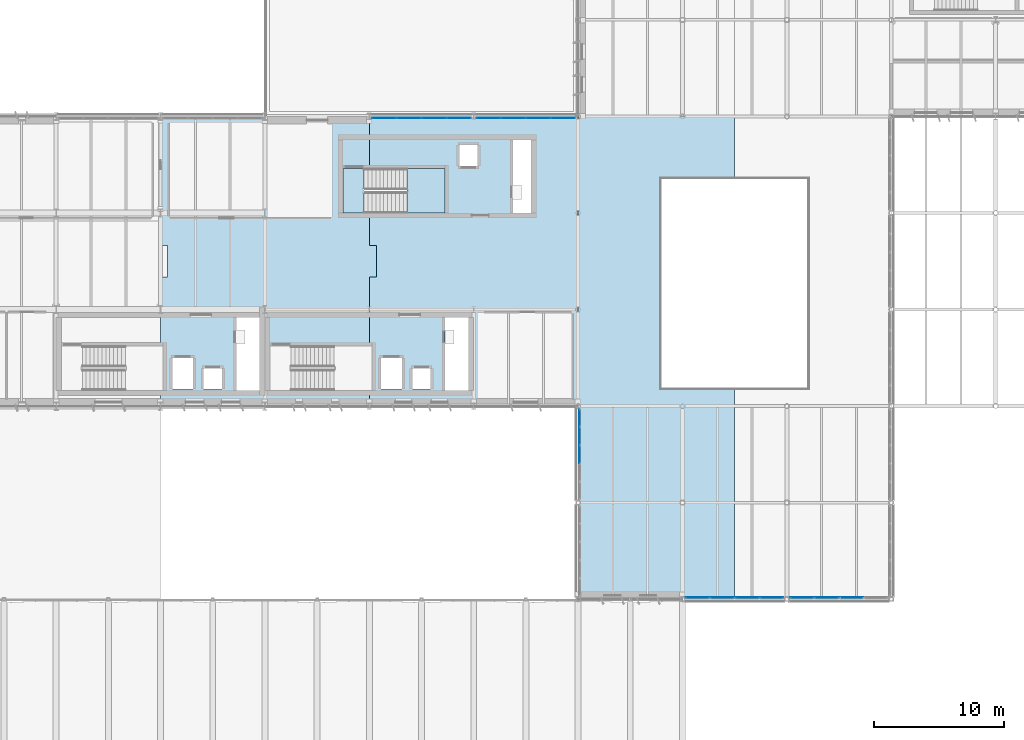
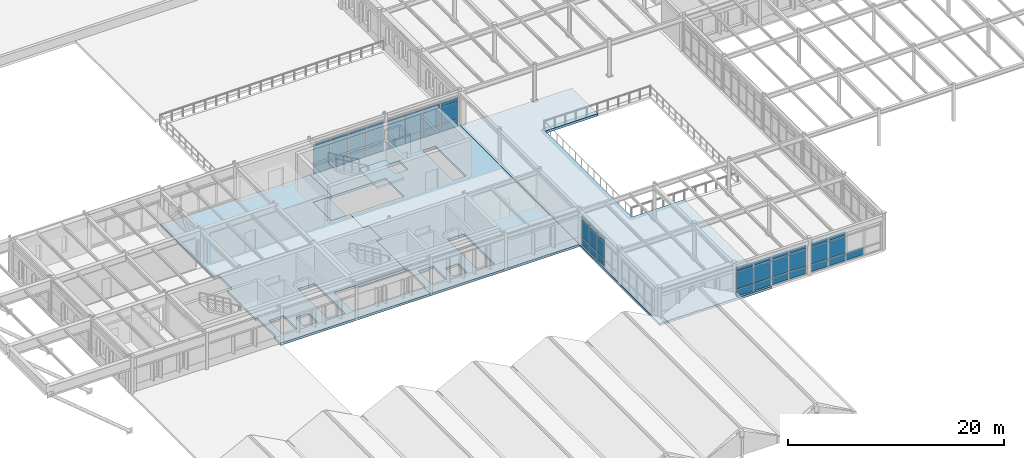
# One storey, part 30 of 63: 52 plates, 5 slabs, 6 elements without a shape of their own.
"""IFC4 building model written with IfcOpenShell, lengths in metres."""

from ifc_helpers import new_model, si_unit, direction, frame, origin, origin_2d, place, context, subcontext, project, spatial, polyline, rectangle, outline, extrude, material, layer, layer_set, type_object, element, aggregate, save


model = new_model("IFC4")

# Units and contexts
model_context = context("Model", 3, precision=1e-05, world=origin(), true_north=direction((0.0, 1.0)))
body_context = subcontext(model_context, "Body", "Model", "MODEL_VIEW")
ifc_project = project(units=[si_unit("LENGTHUNIT", "METRE"), si_unit("AREAUNIT", "SQUARE_METRE"), si_unit("VOLUMEUNIT", "CUBIC_METRE"), si_unit("PLANEANGLEUNIT", "RADIAN"), si_unit("MASSUNIT", "GRAM", prefix="KILO")], contexts=[model_context])

# Site, building, storey
site_placement = place(None, origin())
site = spatial("IfcSite", under=ifc_project, at=site_placement, CompositionType="ELEMENT")
building_placement = place(site_placement, origin())
building = spatial("IfcBuilding", under=site, at=building_placement, Name="Valkorina Park Police Headquarters", CompositionType="ELEMENT")
storey_placement = place(building_placement, frame((0.0, 0.0, 9.89990234375)))
storey = spatial("IfcBuildingStorey", under=building, at=storey_placement, Name="L03", CompositionType="ELEMENT", Elevation=9.89990234375)

# Curtain wall, plates
ifc_material_1 = material(Name="Thermally broken aluminium AW-6060", Category="aluminium")
ifc_layer_1 = layer(ifc_material_1, 0.18994140625)
ifc_layer_set_1 = layer_set([ifc_layer_1], Name="Thermally broken aluminium AW-6060")
curtain_wall_type_1 = type_object("IfcCurtainWallType", Name="CW-V4-7620x3420", PredefinedType="NOTDEFINED", material=ifc_layer_set_1)
curtain_wall_1_placement = place(storey_placement, origin())
curtain_wall_1 = element("IfcCurtainWall", 1, at=curtain_wall_1_placement, inside=storey, type_object=curtain_wall_type_1, Name="L03 Unitised Curtain Wall 025", PredefinedType="NOTDEFINED")
ifc_material_2 = material(Name="Triple low-E insulated glazing", Category="glass")
ifc_layer_2 = layer(ifc_material_2, 0.0380859375)
ifc_layer_set_2 = layer_set([ifc_layer_2], Name="Triple low-E insulated glazing")
plate_type_1 = type_object("IfcPlateType", Name="PL-CWP-ACOUST-38", PredefinedType="CURTAIN_PANEL", material=ifc_layer_set_2)
plate_1_placement = place(storey_placement, frame((75.846923828125, 22.320068359375, 0.940185546875), z_axis=(0.0, 0.0, 1.0), x_axis=(-1.0, 0.0, 0.0)))
plate_1 = element("IfcPlate", 2, at=plate_1_placement, type_object=plate_type_1, Name="CW-V4-762-342 panel 3.2", PredefinedType="CURTAIN_PANEL", context=body_context, shape_type="SweptSolid", body=[
    extrude(rectangle(XDim=1.826171875, YDim=0.0380859375, at=origin_2d()), origin(), (0.0, 0.0, 1.0), 1.919921875),
])
plate_2_placement = place(storey_placement, frame((75.846923828125, 22.320068359375, 2.940185546875), z_axis=(0.0, 0.0, 1.0), x_axis=(-1.0, 0.0, 0.0)))
plate_2 = element("IfcPlate", 3, at=plate_2_placement, type_object=plate_type_1, Name="CW-V4-762-342 panel 3.3", PredefinedType="CURTAIN_PANEL", context=body_context, shape_type="SweptSolid", body=[
    extrude(rectangle(XDim=1.826171875, YDim=0.0380859375, at=origin_2d()), origin(), (0.0, 0.0, 1.0), 0.39990234375),
])
plate_3_placement = place(storey_placement, frame((73.9609375, 22.320068359375, 0.940185546875), z_axis=(0.0, 0.0, 1.0), x_axis=(-1.0, 0.0, 0.0)))
plate_3 = element("IfcPlate", 4, at=plate_3_placement, type_object=plate_type_1, Name="CW-V4-762-342 panel 4.2", PredefinedType="CURTAIN_PANEL", context=body_context, shape_type="SweptSolid", body=[
    extrude(rectangle(XDim=1.7861328125, YDim=0.0380859375, at=origin_2d()), origin(), (0.0, 0.0, 1.0), 1.919921875),
])
plate_4_placement = place(storey_placement, frame((73.9609375, 22.320068359375, 2.940185546875), z_axis=(0.0, 0.0, 1.0), x_axis=(-1.0, 0.0, 0.0)))
plate_4 = element("IfcPlate", 5, at=plate_4_placement, type_object=plate_type_1, Name="CW-V4-762-342 panel 4.3", PredefinedType="CURTAIN_PANEL", context=body_context, shape_type="SweptSolid", body=[
    extrude(rectangle(XDim=1.7861328125, YDim=0.0380859375, at=origin_2d()), origin(), (0.0, 0.0, 1.0), 0.39990234375),
])

curtain_wall_2_placement = place(storey_placement, origin())
curtain_wall_2 = element("IfcCurtainWall", 6, at=curtain_wall_2_placement, inside=storey, type_object=curtain_wall_type_1, Name="L03 Unitised Curtain Wall 026", PredefinedType="NOTDEFINED")
plate_5_placement = place(storey_placement, frame((71.63916015625, 22.320068359375, 0.940185546875), z_axis=(0.0, 0.0, 1.0), x_axis=(-1.0, 0.0, 0.0)))
plate_5 = element("IfcPlate", 7, at=plate_5_placement, type_object=plate_type_1, Name="CW-V4-762-342 panel 1.2", PredefinedType="CURTAIN_PANEL", context=body_context, shape_type="SweptSolid", body=[
    extrude(rectangle(XDim=1.7861328125, YDim=0.0380859375, at=origin_2d()), origin(), (0.0, 0.0, 1.0), 1.919921875),
])
plate_6_placement = place(storey_placement, frame((71.63916015625, 22.320068359375, 2.940185546875), z_axis=(0.0, 0.0, 1.0), x_axis=(-1.0, 0.0, 0.0)))
plate_6 = element("IfcPlate", 8, at=plate_6_placement, type_object=plate_type_1, Name="CW-V4-762-342 panel 1.3", PredefinedType="CURTAIN_PANEL", context=body_context, shape_type="SweptSolid", body=[
    extrude(rectangle(XDim=1.7861328125, YDim=0.0380859375, at=origin_2d()), origin(), (0.0, 0.0, 1.0), 0.39990234375),
])
plate_7_placement = place(storey_placement, frame((69.7529296875, 22.320068359375, 0.940185546875), z_axis=(0.0, 0.0, 1.0), x_axis=(-1.0, 0.0, 0.0)))
plate_7 = element("IfcPlate", 9, at=plate_7_placement, type_object=plate_type_1, Name="CW-V4-762-342 panel 2.2", PredefinedType="CURTAIN_PANEL", context=body_context, shape_type="SweptSolid", body=[
    extrude(rectangle(XDim=1.826171875, YDim=0.0380859375, at=origin_2d()), origin(), (0.0, 0.0, 1.0), 1.919921875),
])
plate_8_placement = place(storey_placement, frame((69.7529296875, 22.320068359375, 2.940185546875), z_axis=(0.0, 0.0, 1.0), x_axis=(-1.0, 0.0, 0.0)))
plate_8 = element("IfcPlate", 10, at=plate_8_placement, type_object=plate_type_1, Name="CW-V4-762-342 panel 2.3", PredefinedType="CURTAIN_PANEL", context=body_context, shape_type="SweptSolid", body=[
    extrude(rectangle(XDim=1.826171875, YDim=0.0380859375, at=origin_2d()), origin(), (0.0, 0.0, 1.0), 0.39990234375),
])
plate_9_placement = place(storey_placement, frame((67.846923828125, 22.320068359375, 0.940185546875), z_axis=(0.0, 0.0, 1.0), x_axis=(-1.0, 0.0, 0.0)))
plate_9 = element("IfcPlate", 11, at=plate_9_placement, type_object=plate_type_1, Name="CW-V4-762-342 panel 3.2", PredefinedType="CURTAIN_PANEL", context=body_context, shape_type="SweptSolid", body=[
    extrude(rectangle(XDim=1.826171875, YDim=0.0380859375, at=origin_2d()), origin(), (0.0, 0.0, 1.0), 1.919921875),
])
plate_10_placement = place(storey_placement, frame((67.846923828125, 22.320068359375, 2.940185546875), z_axis=(0.0, 0.0, 1.0), x_axis=(-1.0, 0.0, 0.0)))
plate_10 = element("IfcPlate", 12, at=plate_10_placement, type_object=plate_type_1, Name="CW-V4-762-342 panel 3.3", PredefinedType="CURTAIN_PANEL", context=body_context, shape_type="SweptSolid", body=[
    extrude(rectangle(XDim=1.826171875, YDim=0.0380859375, at=origin_2d()), origin(), (0.0, 0.0, 1.0), 0.39990234375),
])
plate_11_placement = place(storey_placement, frame((65.9609375, 22.320068359375, 0.940185546875), z_axis=(0.0, 0.0, 1.0), x_axis=(-1.0, 0.0, 0.0)))
plate_11 = element("IfcPlate", 13, at=plate_11_placement, type_object=plate_type_1, Name="CW-V4-762-342 panel 4.2", PredefinedType="CURTAIN_PANEL", context=body_context, shape_type="SweptSolid", body=[
    extrude(rectangle(XDim=1.7861328125, YDim=0.0380859375, at=origin_2d()), origin(), (0.0, 0.0, 1.0), 1.919921875),
])
plate_12_placement = place(storey_placement, frame((65.9609375, 22.320068359375, 2.940185546875), z_axis=(0.0, 0.0, 1.0), x_axis=(-1.0, 0.0, 0.0)))
plate_12 = element("IfcPlate", 14, at=plate_12_placement, type_object=plate_type_1, Name="CW-V4-762-342 panel 4.3", PredefinedType="CURTAIN_PANEL", context=body_context, shape_type="SweptSolid", body=[
    extrude(rectangle(XDim=1.7861328125, YDim=0.0380859375, at=origin_2d()), origin(), (0.0, 0.0, 1.0), 0.39990234375),
])

ifc_layer_3 = layer(ifc_material_1, 0.18994140625)
ifc_layer_set_3 = layer_set([ifc_layer_3], Name="Thermally broken aluminium AW-6060")
curtain_wall_type_2 = type_object("IfcCurtainWallType", Name="CW-V4-7020x3360", PredefinedType="NOTDEFINED", material=ifc_layer_set_3)
curtain_wall_3_placement = place(storey_placement, origin())
curtain_wall_3 = element("IfcCurtainWall", 15, at=curtain_wall_3_placement, inside=storey, type_object=curtain_wall_type_2, Name="L03 Unitised Curtain Wall 029", PredefinedType="NOTDEFINED")
plate_13_placement = place(storey_placement, frame((56.919921875, 33.300048828125, 0.93994140625), z_axis=(0.0, 0.0, 1.0), x_axis=(0.0, 1.0, 0.0)))
plate_13 = element("IfcPlate", 16, at=plate_13_placement, type_object=plate_type_1, Name="CW-V4-702-336 panel 3.2", PredefinedType="CURTAIN_PANEL", context=body_context, shape_type="SweptSolid", body=[
    extrude(rectangle(XDim=1.324951171875, YDim=0.0380859375, at=origin_2d()), origin(), (0.0, 0.0, 1.0), 1.860107421875),
])
plate_14_placement = place(storey_placement, frame((56.919921875, 33.300048828125, 2.880126953125), z_axis=(0.0, 0.0, 1.0), x_axis=(0.0, 1.0, 0.0)))
plate_14 = element("IfcPlate", 17, at=plate_14_placement, type_object=plate_type_1, Name="CW-V4-702-336 panel 3.3", PredefinedType="CURTAIN_PANEL", context=body_context, shape_type="SweptSolid", body=[
    extrude(rectangle(XDim=1.324951171875, YDim=0.0380859375, at=origin_2d()), origin(), (0.0, 0.0, 1.0), 0.39990234375),
])
plate_15_placement = place(storey_placement, frame((56.919921875, 34.704833984375, 0.93994140625), z_axis=(0.0, 0.0, 1.0), x_axis=(0.0, 1.0, 0.0)))
plate_15 = element("IfcPlate", 18, at=plate_15_placement, type_object=plate_type_1, Name="CW-V4-702-336 panel 4.2", PredefinedType="CURTAIN_PANEL", context=body_context, shape_type="SweptSolid", body=[
    extrude(rectangle(XDim=1.324951171875, YDim=0.0380859375, at=origin_2d()), origin(), (0.0, 0.0, 1.0), 1.860107421875),
])
plate_16_placement = place(storey_placement, frame((56.919921875, 34.704833984375, 2.880126953125), z_axis=(0.0, 0.0, 1.0), x_axis=(0.0, 1.0, 0.0)))
plate_16 = element("IfcPlate", 19, at=plate_16_placement, type_object=plate_type_1, Name="CW-V4-702-336 panel 4.3", PredefinedType="CURTAIN_PANEL", context=body_context, shape_type="SweptSolid", body=[
    extrude(rectangle(XDim=1.324951171875, YDim=0.0380859375, at=origin_2d()), origin(), (0.0, 0.0, 1.0), 0.39990234375),
])
plate_17_placement = place(storey_placement, frame((56.919921875, 36.08984375, 0.93994140625), z_axis=(0.0, 0.0, 1.0), x_axis=(0.0, 1.0, 0.0)))
plate_17 = element("IfcPlate", 20, at=plate_17_placement, type_object=plate_type_1, Name="CW-V4-702-336 panel 5.2", PredefinedType="CURTAIN_PANEL", context=body_context, shape_type="SweptSolid", body=[
    extrude(rectangle(XDim=1.284912109375, YDim=0.0380859375, at=origin_2d()), origin(), (0.0, 0.0, 1.0), 1.860107421875),
])
plate_18_placement = place(storey_placement, frame((56.919921875, 36.08984375, 2.880126953125), z_axis=(0.0, 0.0, 1.0), x_axis=(0.0, 1.0, 0.0)))
plate_18 = element("IfcPlate", 21, at=plate_18_placement, type_object=plate_type_1, Name="CW-V4-702-336 panel 5.3", PredefinedType="CURTAIN_PANEL", context=body_context, shape_type="SweptSolid", body=[
    extrude(rectangle(XDim=1.284912109375, YDim=0.0380859375, at=origin_2d()), origin(), (0.0, 0.0, 1.0), 0.39990234375),
])

# Plate
ifc_layer_4 = layer(ifc_material_1, 0.06494140625)
ifc_layer_set_4 = layer_set([ifc_layer_4], Name="Thermally broken aluminium AW-6060")
plate_type_2 = type_object("IfcPlateType", Name="PL-CWP-INSUL-65", PredefinedType="CURTAIN_PANEL", material=ifc_layer_set_4)
plate_19_placement = place(storey_placement, frame((77.7529296875, 22.320068359375, 0.080078125), z_axis=(0.0, 0.0, 1.0), x_axis=(-1.0, 0.0, 0.0)))
plate_19 = element("IfcPlate", 22, at=plate_19_placement, type_object=plate_type_2, Name="CW-V4-762-342 panel 2.1", PredefinedType="CURTAIN_PANEL", context=body_context, shape_type="SweptSolid", body=[
    extrude(rectangle(XDim=1.826171875, YDim=0.0380859375, at=origin_2d()), origin(), (0.0, 0.0, 1.0), 0.780029296875),
])

plate_20_placement = place(storey_placement, frame((75.846923828125, 22.320068359375, 0.080078125), z_axis=(0.0, 0.0, 1.0), x_axis=(-1.0, 0.0, 0.0)))
plate_20 = element("IfcPlate", 23, at=plate_20_placement, type_object=plate_type_2, Name="CW-V4-762-342 panel 3.1", PredefinedType="CURTAIN_PANEL", context=body_context, shape_type="SweptSolid", body=[
    extrude(rectangle(XDim=1.826171875, YDim=0.0380859375, at=origin_2d()), origin(), (0.0, 0.0, 1.0), 0.780029296875),
])

plate_21_placement = place(storey_placement, frame((73.9609375, 22.320068359375, 0.080078125), z_axis=(0.0, 0.0, 1.0), x_axis=(-1.0, 0.0, 0.0)))
plate_21 = element("IfcPlate", 24, at=plate_21_placement, type_object=plate_type_2, Name="CW-V4-762-342 panel 4.1", PredefinedType="CURTAIN_PANEL", context=body_context, shape_type="SweptSolid", body=[
    extrude(rectangle(XDim=1.7861328125, YDim=0.0380859375, at=origin_2d()), origin(), (0.0, 0.0, 1.0), 0.780029296875),
])

aggregate(curtain_wall_1, [plate_19, plate_20, plate_1, plate_2, plate_21, plate_3, plate_4])

plate_22_placement = place(storey_placement, frame((71.63916015625, 22.320068359375, 0.080078125), z_axis=(0.0, 0.0, 1.0), x_axis=(-1.0, 0.0, 0.0)))
plate_22 = element("IfcPlate", 25, at=plate_22_placement, type_object=plate_type_2, Name="CW-V4-762-342 panel 1.1", PredefinedType="CURTAIN_PANEL", context=body_context, shape_type="SweptSolid", body=[
    extrude(rectangle(XDim=1.7861328125, YDim=0.0380859375, at=origin_2d()), origin(), (0.0, 0.0, 1.0), 0.780029296875),
])

plate_23_placement = place(storey_placement, frame((69.7529296875, 22.320068359375, 0.080078125), z_axis=(0.0, 0.0, 1.0), x_axis=(-1.0, 0.0, 0.0)))
plate_23 = element("IfcPlate", 26, at=plate_23_placement, type_object=plate_type_2, Name="CW-V4-762-342 panel 2.1", PredefinedType="CURTAIN_PANEL", context=body_context, shape_type="SweptSolid", body=[
    extrude(rectangle(XDim=1.826171875, YDim=0.0380859375, at=origin_2d()), origin(), (0.0, 0.0, 1.0), 0.780029296875),
])

plate_24_placement = place(storey_placement, frame((67.846923828125, 22.320068359375, 0.080078125), z_axis=(0.0, 0.0, 1.0), x_axis=(-1.0, 0.0, 0.0)))
plate_24 = element("IfcPlate", 27, at=plate_24_placement, type_object=plate_type_2, Name="CW-V4-762-342 panel 3.1", PredefinedType="CURTAIN_PANEL", context=body_context, shape_type="SweptSolid", body=[
    extrude(rectangle(XDim=1.826171875, YDim=0.0380859375, at=origin_2d()), origin(), (0.0, 0.0, 1.0), 0.780029296875),
])

plate_25_placement = place(storey_placement, frame((65.9609375, 22.320068359375, 0.080078125), z_axis=(0.0, 0.0, 1.0), x_axis=(-1.0, 0.0, 0.0)))
plate_25 = element("IfcPlate", 28, at=plate_25_placement, type_object=plate_type_2, Name="CW-V4-762-342 panel 4.1", PredefinedType="CURTAIN_PANEL", context=body_context, shape_type="SweptSolid", body=[
    extrude(rectangle(XDim=1.7861328125, YDim=0.0380859375, at=origin_2d()), origin(), (0.0, 0.0, 1.0), 0.780029296875),
])

aggregate(curtain_wall_2, [plate_22, plate_5, plate_6, plate_23, plate_7, plate_8, plate_24, plate_9, plate_10, plate_25, plate_11, plate_12])

plate_26_placement = place(storey_placement, frame((56.919921875, 33.300048828125, 0.080078125), z_axis=(0.0, 0.0, 1.0), x_axis=(0.0, 1.0, 0.0)))
plate_26 = element("IfcPlate", 29, at=plate_26_placement, type_object=plate_type_2, Name="CW-V4-702-336 panel 3.1", PredefinedType="CURTAIN_PANEL", context=body_context, shape_type="SweptSolid", body=[
    extrude(rectangle(XDim=1.324951171875, YDim=0.0380859375, at=origin_2d()), origin(), (0.0, 0.0, 1.0), 0.780029296875),
])

plate_27_placement = place(storey_placement, frame((56.919921875, 34.704833984375, 0.080078125), z_axis=(0.0, 0.0, 1.0), x_axis=(0.0, 1.0, 0.0)))
plate_27 = element("IfcPlate", 30, at=plate_27_placement, type_object=plate_type_2, Name="CW-V4-702-336 panel 4.1", PredefinedType="CURTAIN_PANEL", context=body_context, shape_type="SweptSolid", body=[
    extrude(rectangle(XDim=1.324951171875, YDim=0.0380859375, at=origin_2d()), origin(), (0.0, 0.0, 1.0), 0.780029296875),
])

plate_28_placement = place(storey_placement, frame((56.919921875, 36.08984375, 0.080078125), z_axis=(0.0, 0.0, 1.0), x_axis=(0.0, 1.0, 0.0)))
plate_28 = element("IfcPlate", 31, at=plate_28_placement, type_object=plate_type_2, Name="CW-V4-702-336 panel 5.1", PredefinedType="CURTAIN_PANEL", context=body_context, shape_type="SweptSolid", body=[
    extrude(rectangle(XDim=1.284912109375, YDim=0.0380859375, at=origin_2d()), origin(), (0.0, 0.0, 1.0), 0.780029296875),
])

aggregate(curtain_wall_3, [plate_26, plate_13, plate_14, plate_27, plate_15, plate_16, plate_28, plate_17, plate_18])

# Curtain wall, plates
ifc_layer_5 = layer(ifc_material_1, 0.18994140625)
ifc_layer_set_5 = layer_set([ifc_layer_5], Name="Thermally broken aluminium AW-6060")
curtain_wall_type_3 = type_object("IfcCurtainWallType", Name="CW-COURT-7680x3420", PredefinedType="NOTDEFINED", material=ifc_layer_set_5)
curtain_wall_4_placement = place(storey_placement, origin())
curtain_wall_4 = element("IfcCurtainWall", 32, at=curtain_wall_4_placement, inside=storey, type_object=curtain_wall_type_3, Name="L03 Unitised Curtain Wall 018", PredefinedType="NOTDEFINED")
ifc_layer_6 = layer(ifc_material_1, 0.050048828125)
ifc_layer_set_6 = layer_set([ifc_layer_6], Name="Thermally broken aluminium AW-6060")
plate_type_3 = type_object("IfcPlateType", Name="PL-CWP-SPANDREL-50", PredefinedType="CURTAIN_PANEL", material=ifc_layer_set_6)
plate_29_placement = place(storey_placement, frame((41.93505859375, 59.080078125, 0.06005859375), z_axis=(0.0, 0.0, 1.0), x_axis=(1.0, 0.0, 0.0)))
plate_29 = element("IfcPlate", 33, at=plate_29_placement, type_object=plate_type_3, Name="CW-COURT-768-342 panel 1.1", PredefinedType="CURTAIN_PANEL", context=body_context, shape_type="SweptSolid", body=[
    extrude(rectangle(XDim=1.830078125, YDim=0.028076171875, at=origin_2d()), origin(), (0.0, 0.0, 1.0), 0.81005859375),
])
plate_30_placement = place(storey_placement, frame((43.840087890625, 59.080078125, 0.06005859375), z_axis=(0.0, 0.0, 1.0), x_axis=(1.0, 0.0, 0.0)))
plate_30 = element("IfcPlate", 34, at=plate_30_placement, type_object=plate_type_3, Name="CW-COURT-768-342 panel 2.1", PredefinedType="CURTAIN_PANEL", context=body_context, shape_type="SweptSolid", body=[
    extrude(rectangle(XDim=1.860107421875, YDim=0.028076171875, at=origin_2d()), origin(), (0.0, 0.0, 1.0), 0.81005859375),
])
plate_31_placement = place(storey_placement, frame((45.760009765625, 59.080078125, 0.06005859375), z_axis=(0.0, 0.0, 1.0), x_axis=(1.0, 0.0, 0.0)))
plate_31 = element("IfcPlate", 35, at=plate_31_placement, type_object=plate_type_3, Name="CW-COURT-768-342 panel 3.1", PredefinedType="CURTAIN_PANEL", context=body_context, shape_type="SweptSolid", body=[
    extrude(rectangle(XDim=1.860107421875, YDim=0.028076171875, at=origin_2d()), origin(), (0.0, 0.0, 1.0), 0.81005859375),
])
plate_32_placement = place(storey_placement, frame((47.6650390625, 59.080078125, 0.06005859375), z_axis=(0.0, 0.0, 1.0), x_axis=(1.0, 0.0, 0.0)))
plate_32 = element("IfcPlate", 36, at=plate_32_placement, type_object=plate_type_3, Name="CW-COURT-768-342 panel 4.1", PredefinedType="CURTAIN_PANEL", context=body_context, shape_type="SweptSolid", body=[
    extrude(rectangle(XDim=1.830078125, YDim=0.028076171875, at=origin_2d()), origin(), (0.0, 0.0, 1.0), 0.81005859375),
])

ifc_layer_7 = layer(ifc_material_1, 0.18994140625)
ifc_layer_set_7 = layer_set([ifc_layer_7], Name="Thermally broken aluminium AW-6060")
curtain_wall_type_4 = type_object("IfcCurtainWallType", Name="CW-COURT-7650x3360", PredefinedType="NOTDEFINED", material=ifc_layer_set_7)
curtain_wall_5_placement = place(storey_placement, origin())
curtain_wall_5 = element("IfcCurtainWall", 37, at=curtain_wall_5_placement, inside=storey, type_object=curtain_wall_type_4, Name="L03 Unitised Curtain Wall 019", PredefinedType="NOTDEFINED")
plate_33_placement = place(storey_placement, frame((49.931640625, 59.080078125, 0.06005859375), z_axis=(0.0, 0.0, 1.0), x_axis=(1.0, 0.0, 0.0)))
plate_33 = element("IfcPlate", 38, at=plate_33_placement, type_object=plate_type_3, Name="CW-COURT-765-336 panel 1.1", PredefinedType="CURTAIN_PANEL", context=body_context, shape_type="SweptSolid", body=[
    extrude(rectangle(XDim=1.822998046875, YDim=0.028076171875, at=origin_2d()), origin(), (0.0, 0.0, 1.0), 0.81005859375),
])
plate_34_placement = place(storey_placement, frame((51.82958984375, 59.080078125, 0.06005859375), z_axis=(0.0, 0.0, 1.0), x_axis=(1.0, 0.0, 0.0)))
plate_34 = element("IfcPlate", 39, at=plate_34_placement, type_object=plate_type_3, Name="CW-COURT-765-336 panel 2.1", PredefinedType="CURTAIN_PANEL", context=body_context, shape_type="SweptSolid", body=[
    extrude(rectangle(XDim=1.85302734375, YDim=0.028076171875, at=origin_2d()), origin(), (0.0, 0.0, 1.0), 0.81005859375),
])
plate_35_placement = place(storey_placement, frame((53.74267578125, 59.080078125, 0.06005859375), z_axis=(0.0, 0.0, 1.0), x_axis=(1.0, 0.0, 0.0)))
plate_35 = element("IfcPlate", 40, at=plate_35_placement, type_object=plate_type_3, Name="CW-COURT-765-336 panel 3.1", PredefinedType="CURTAIN_PANEL", context=body_context, shape_type="SweptSolid", body=[
    extrude(rectangle(XDim=1.85302734375, YDim=0.028076171875, at=origin_2d()), origin(), (0.0, 0.0, 1.0), 0.81005859375),
])
plate_36_placement = place(storey_placement, frame((55.640625, 59.080078125, 0.06005859375), z_axis=(0.0, 0.0, 1.0), x_axis=(1.0, 0.0, 0.0)))
plate_36 = element("IfcPlate", 41, at=plate_36_placement, type_object=plate_type_3, Name="CW-COURT-765-336 panel 4.1", PredefinedType="CURTAIN_PANEL", context=body_context, shape_type="SweptSolid", body=[
    extrude(rectangle(XDim=1.822998046875, YDim=0.028076171875, at=origin_2d()), origin(), (0.0, 0.0, 1.0), 0.81005859375),
])

# Plate
ifc_layer_8 = layer(ifc_material_2, 0.028076171875)
ifc_layer_set_8 = layer_set([ifc_layer_8], Name="Triple low-E insulated glazing")
plate_type_4 = type_object("IfcPlateType", Name="PL-CWP-VISION-28", PredefinedType="CURTAIN_PANEL", material=ifc_layer_set_8)
plate_37_placement = place(storey_placement, frame((41.93505859375, 59.080078125, 0.93017578125), z_axis=(0.0, 0.0, 1.0), x_axis=(1.0, 0.0, 0.0)))
plate_37 = element("IfcPlate", 42, at=plate_37_placement, type_object=plate_type_4, Name="CW-COURT-768-342 panel 1.2", PredefinedType="CURTAIN_PANEL", context=body_context, shape_type="SweptSolid", body=[
    extrude(rectangle(XDim=1.830078125, YDim=0.028076171875, at=origin_2d()), origin(), (0.0, 0.0, 1.0), 1.93994140625),
])

plate_38_placement = place(storey_placement, frame((41.93505859375, 59.080078125, 2.93017578125), z_axis=(0.0, 0.0, 1.0), x_axis=(1.0, 0.0, 0.0)))
plate_38 = element("IfcPlate", 43, at=plate_38_placement, type_object=plate_type_4, Name="CW-COURT-768-342 panel 1.3", PredefinedType="CURTAIN_PANEL", context=body_context, shape_type="SweptSolid", body=[
    extrude(rectangle(XDim=1.830078125, YDim=0.028076171875, at=origin_2d()), origin(), (0.0, 0.0, 1.0), 0.429931640625),
])

plate_39_placement = place(storey_placement, frame((43.840087890625, 59.080078125, 0.93017578125), z_axis=(0.0, 0.0, 1.0), x_axis=(1.0, 0.0, 0.0)))
plate_39 = element("IfcPlate", 44, at=plate_39_placement, type_object=plate_type_4, Name="CW-COURT-768-342 panel 2.2", PredefinedType="CURTAIN_PANEL", context=body_context, shape_type="SweptSolid", body=[
    extrude(rectangle(XDim=1.860107421875, YDim=0.028076171875, at=origin_2d()), origin(), (0.0, 0.0, 1.0), 1.93994140625),
])

plate_40_placement = place(storey_placement, frame((43.840087890625, 59.080078125, 2.93017578125), z_axis=(0.0, 0.0, 1.0), x_axis=(1.0, 0.0, 0.0)))
plate_40 = element("IfcPlate", 45, at=plate_40_placement, type_object=plate_type_4, Name="CW-COURT-768-342 panel 2.3", PredefinedType="CURTAIN_PANEL", context=body_context, shape_type="SweptSolid", body=[
    extrude(rectangle(XDim=1.860107421875, YDim=0.028076171875, at=origin_2d()), origin(), (0.0, 0.0, 1.0), 0.429931640625),
])

plate_41_placement = place(storey_placement, frame((45.760009765625, 59.080078125, 0.93017578125), z_axis=(0.0, 0.0, 1.0), x_axis=(1.0, 0.0, 0.0)))
plate_41 = element("IfcPlate", 46, at=plate_41_placement, type_object=plate_type_4, Name="CW-COURT-768-342 panel 3.2", PredefinedType="CURTAIN_PANEL", context=body_context, shape_type="SweptSolid", body=[
    extrude(rectangle(XDim=1.860107421875, YDim=0.028076171875, at=origin_2d()), origin(), (0.0, 0.0, 1.0), 1.93994140625),
])

plate_42_placement = place(storey_placement, frame((45.760009765625, 59.080078125, 2.93017578125), z_axis=(0.0, 0.0, 1.0), x_axis=(1.0, 0.0, 0.0)))
plate_42 = element("IfcPlate", 47, at=plate_42_placement, type_object=plate_type_4, Name="CW-COURT-768-342 panel 3.3", PredefinedType="CURTAIN_PANEL", context=body_context, shape_type="SweptSolid", body=[
    extrude(rectangle(XDim=1.860107421875, YDim=0.028076171875, at=origin_2d()), origin(), (0.0, 0.0, 1.0), 0.429931640625),
])

plate_43_placement = place(storey_placement, frame((47.6650390625, 59.080078125, 0.93017578125), z_axis=(0.0, 0.0, 1.0), x_axis=(1.0, 0.0, 0.0)))
plate_43 = element("IfcPlate", 48, at=plate_43_placement, type_object=plate_type_4, Name="CW-COURT-768-342 panel 4.2", PredefinedType="CURTAIN_PANEL", context=body_context, shape_type="SweptSolid", body=[
    extrude(rectangle(XDim=1.830078125, YDim=0.028076171875, at=origin_2d()), origin(), (0.0, 0.0, 1.0), 1.93994140625),
])

plate_44_placement = place(storey_placement, frame((47.6650390625, 59.080078125, 2.93017578125), z_axis=(0.0, 0.0, 1.0), x_axis=(1.0, 0.0, 0.0)))
plate_44 = element("IfcPlate", 49, at=plate_44_placement, type_object=plate_type_4, Name="CW-COURT-768-342 panel 4.3", PredefinedType="CURTAIN_PANEL", context=body_context, shape_type="SweptSolid", body=[
    extrude(rectangle(XDim=1.830078125, YDim=0.028076171875, at=origin_2d()), origin(), (0.0, 0.0, 1.0), 0.429931640625),
])

aggregate(curtain_wall_4, [plate_29, plate_37, plate_38, plate_30, plate_39, plate_40, plate_31, plate_41, plate_42, plate_32, plate_43, plate_44])

plate_45_placement = place(storey_placement, frame((49.931640625, 59.080078125, 0.93017578125), z_axis=(0.0, 0.0, 1.0), x_axis=(1.0, 0.0, 0.0)))
plate_45 = element("IfcPlate", 50, at=plate_45_placement, type_object=plate_type_4, Name="CW-COURT-765-336 panel 1.2", PredefinedType="CURTAIN_PANEL", context=body_context, shape_type="SweptSolid", body=[
    extrude(rectangle(XDim=1.822998046875, YDim=0.028076171875, at=origin_2d()), origin(), (0.0, 0.0, 1.0), 1.8798828125),
])

plate_46_placement = place(storey_placement, frame((49.931640625, 59.080078125, 2.8701171875), z_axis=(0.0, 0.0, 1.0), x_axis=(1.0, 0.0, 0.0)))
plate_46 = element("IfcPlate", 51, at=plate_46_placement, type_object=plate_type_4, Name="CW-COURT-765-336 panel 1.3", PredefinedType="CURTAIN_PANEL", context=body_context, shape_type="SweptSolid", body=[
    extrude(rectangle(XDim=1.822998046875, YDim=0.028076171875, at=origin_2d()), origin(), (0.0, 0.0, 1.0), 0.429931640625),
])

plate_47_placement = place(storey_placement, frame((51.82958984375, 59.080078125, 0.93017578125), z_axis=(0.0, 0.0, 1.0), x_axis=(1.0, 0.0, 0.0)))
plate_47 = element("IfcPlate", 52, at=plate_47_placement, type_object=plate_type_4, Name="CW-COURT-765-336 panel 2.2", PredefinedType="CURTAIN_PANEL", context=body_context, shape_type="SweptSolid", body=[
    extrude(rectangle(XDim=1.85302734375, YDim=0.028076171875, at=origin_2d()), origin(), (0.0, 0.0, 1.0), 1.8798828125),
])

plate_48_placement = place(storey_placement, frame((51.82958984375, 59.080078125, 2.8701171875), z_axis=(0.0, 0.0, 1.0), x_axis=(1.0, 0.0, 0.0)))
plate_48 = element("IfcPlate", 53, at=plate_48_placement, type_object=plate_type_4, Name="CW-COURT-765-336 panel 2.3", PredefinedType="CURTAIN_PANEL", context=body_context, shape_type="SweptSolid", body=[
    extrude(rectangle(XDim=1.85302734375, YDim=0.028076171875, at=origin_2d()), origin(), (0.0, 0.0, 1.0), 0.429931640625),
])

plate_49_placement = place(storey_placement, frame((53.74267578125, 59.080078125, 0.93017578125), z_axis=(0.0, 0.0, 1.0), x_axis=(1.0, 0.0, 0.0)))
plate_49 = element("IfcPlate", 54, at=plate_49_placement, type_object=plate_type_4, Name="CW-COURT-765-336 panel 3.2", PredefinedType="CURTAIN_PANEL", context=body_context, shape_type="SweptSolid", body=[
    extrude(rectangle(XDim=1.85302734375, YDim=0.028076171875, at=origin_2d()), origin(), (0.0, 0.0, 1.0), 1.8798828125),
])

plate_50_placement = place(storey_placement, frame((53.74267578125, 59.080078125, 2.8701171875), z_axis=(0.0, 0.0, 1.0), x_axis=(1.0, 0.0, 0.0)))
plate_50 = element("IfcPlate", 55, at=plate_50_placement, type_object=plate_type_4, Name="CW-COURT-765-336 panel 3.3", PredefinedType="CURTAIN_PANEL", context=body_context, shape_type="SweptSolid", body=[
    extrude(rectangle(XDim=1.85302734375, YDim=0.028076171875, at=origin_2d()), origin(), (0.0, 0.0, 1.0), 0.429931640625),
])

plate_51_placement = place(storey_placement, frame((55.640625, 59.080078125, 0.93017578125), z_axis=(0.0, 0.0, 1.0), x_axis=(1.0, 0.0, 0.0)))
plate_51 = element("IfcPlate", 56, at=plate_51_placement, type_object=plate_type_4, Name="CW-COURT-765-336 panel 4.2", PredefinedType="CURTAIN_PANEL", context=body_context, shape_type="SweptSolid", body=[
    extrude(rectangle(XDim=1.822998046875, YDim=0.028076171875, at=origin_2d()), origin(), (0.0, 0.0, 1.0), 1.8798828125),
])

plate_52_placement = place(storey_placement, frame((55.640625, 59.080078125, 2.8701171875), z_axis=(0.0, 0.0, 1.0), x_axis=(1.0, 0.0, 0.0)))
plate_52 = element("IfcPlate", 57, at=plate_52_placement, type_object=plate_type_4, Name="CW-COURT-765-336 panel 4.3", PredefinedType="CURTAIN_PANEL", context=body_context, shape_type="SweptSolid", body=[
    extrude(rectangle(XDim=1.822998046875, YDim=0.028076171875, at=origin_2d()), origin(), (0.0, 0.0, 1.0), 0.429931640625),
])

aggregate(curtain_wall_5, [plate_33, plate_45, plate_46, plate_34, plate_47, plate_48, plate_35, plate_49, plate_50, plate_36, plate_51, plate_52])

# Stair, slab
ifc_material_3 = material(Name="Concrete C35/45", Category="concrete")
stair_type = type_object("IfcStairType", Name="ST-DOGLEG-160-42", PredefinedType="HALF_TURN_STAIR", material=ifc_material_3)
stair_placement = place(storey_placement, origin())
stair = element("IfcStair", 58, at=stair_placement, inside=storey, type_object=stair_type, Name="L03 Core C3 Protected Stair (ST-04)", PredefinedType="HALF_TURN_STAIR")
ifc_layer_9 = layer(ifc_material_3, 0.22998046875)
ifc_layer_set_9 = layer_set([ifc_layer_9], Name="Concrete C35/45")
slab_type_1 = type_object("IfcSlabType", Name="SL-LANDING-230", PredefinedType="LANDING", material=ifc_layer_set_9)
slab_1_placement = place(storey_placement, frame((0.0, 0.0, 1.8701171875)))
slab_1 = element("IfcSlab", 59, at=slab_1_placement, type_object=slab_type_1, Name="ST-04 landing 1", PredefinedType="LANDING", context=body_context, shape_type="SweptSolid", body=[
    extrude(outline(polyline([(43.699951171875, 51.800048828125), (46.60009765625, 51.800048828125), (46.60009765625, 55.199951171875), (43.699951171875, 55.199951171875), (43.699951171875, 51.800048828125)])), origin(), (0.0, 0.0, 1.0), 0.22998046875),
])
aggregate(stair, [slab_1])

# Slabs
ifc_layer_10 = layer(ifc_material_3, 0.260009765625)
ifc_layer_set_10 = layer_set([ifc_layer_10], Name="Concrete C35/45")
slab_type_2 = type_object("IfcSlabType", Name="SL-PODIUM-260", PredefinedType="FLOOR", material=ifc_layer_set_10)
slab_2_placement = place(storey_placement, frame((0.0, 0.0, -0.260009765625)))
element("IfcSlab", 60, at=slab_2_placement, inside=storey, type_object=slab_type_2, Name="L03 Structural Floor Slab 59", PredefinedType="FLOOR", context=body_context, shape_type="SweptSolid", body=[
    extrude(outline(polyline([(41.35009765625, 49.2958984375), (40.800048828125, 49.2958984375), (40.800048828125, 51.800048828125), (38.800048828125, 51.800048828125), (38.800048828125, 55.199951171875), (40.800048828125, 55.199951171875), (40.800048828125, 59.19189453125), (24.800048828125, 59.19189453125), (24.800048828125, 49.2958984375), (25.35009765625, 49.2958984375), (25.35009765625, 46.89599609375), (24.800048828125, 46.89599609375), (24.800048828125, 41.60009765625), (25.0, 41.60009765625), (25.0, 38.199951171875), (24.800048828125, 38.199951171875), (24.800048828125, 37.0), (40.800048828125, 37.0), (40.800048828125, 38.199951171875), (33.199951171875, 38.199951171875), (33.199951171875, 41.60009765625), (40.800048828125, 41.60009765625), (40.800048828125, 46.89599609375), (41.35009765625, 46.89599609375), (41.35009765625, 49.2958984375)]), holes=[polyline([(29.5, 38.300048828125), (28.10009765625, 38.300048828125), (28.10009765625, 39.89990234375), (29.5, 39.89990234375), (29.5, 38.300048828125)]), polyline([(27.300048828125, 38.300048828125), (25.699951171875, 38.300048828125), (25.699951171875, 40.699951171875), (27.300048828125, 40.699951171875), (27.300048828125, 38.300048828125)]), polyline([(32.39990234375, 38.199951171875), (30.60009765625, 38.199951171875), (30.60009765625, 43.800048828125), (32.39990234375, 43.800048828125), (32.39990234375, 38.199951171875)])]), origin(), (0.0, 0.0, 1.0), 0.260009765625),
])
slab_3_placement = place(storey_placement, frame((0.0, 0.0, -0.260009765625)))
element("IfcSlab", 61, at=slab_3_placement, inside=storey, type_object=slab_type_2, Name="L03 Structural Floor Slab 60", PredefinedType="FLOOR", context=body_context, shape_type="SweptSolid", body=[
    extrude(outline(polyline([(40.800048828125, 59.19189453125), (40.800048828125, 55.199951171875), (46.60009765625, 55.199951171875), (46.60009765625, 51.800048828125), (40.800048828125, 51.800048828125), (40.800048828125, 49.2958984375), (41.35009765625, 49.2958984375), (41.35009765625, 46.89599609375), (40.800048828125, 46.89599609375), (40.800048828125, 41.60009765625), (41.0, 41.60009765625), (41.0, 38.199951171875), (40.800048828125, 38.199951171875), (40.800048828125, 37.0), (56.800048828125, 37.0), (56.800048828125, 59.19189453125), (40.800048828125, 59.19189453125)]), holes=[polyline([(45.5, 38.300048828125), (44.10009765625, 38.300048828125), (44.10009765625, 39.89990234375), (45.5, 39.89990234375), (45.5, 38.300048828125)]), polyline([(43.300048828125, 38.300048828125), (41.699951171875, 38.300048828125), (41.699951171875, 40.699951171875), (43.300048828125, 40.699951171875), (43.300048828125, 38.300048828125)]), polyline([(46.60009765625, 38.199951171875), (46.60009765625, 43.800048828125), (48.39990234375, 43.800048828125), (48.39990234375, 38.199951171875), (46.60009765625, 38.199951171875)]), polyline([(53.199951171875, 51.800048828125), (51.800048828125, 51.800048828125), (51.800048828125, 57.39990234375), (53.199951171875, 57.39990234375), (53.199951171875, 51.800048828125)]), polyline([(49.10009765625, 55.39990234375), (47.699951171875, 55.39990234375), (47.699951171875, 57.0), (49.10009765625, 57.0), (49.10009765625, 55.39990234375)])]), origin(), (0.0, 0.0, 1.0), 0.260009765625),
])
slab_4_placement = place(storey_placement, frame((0.0, 0.0, -0.260009765625)))
element("IfcSlab", 62, at=slab_4_placement, inside=storey, type_object=slab_type_2, Name="L03 Structural Floor Slab 61", PredefinedType="FLOOR", context=body_context, shape_type="SweptSolid", body=[
    extrude(outline(polyline([(68.800048828125, 22.199951171875), (68.800048828125, 38.39990234375), (63.199951171875, 38.39990234375), (63.199951171875, 54.39990234375), (68.800048828125, 54.39990234375), (68.800048828125, 59.19189453125), (56.800048828125, 59.19189453125), (56.800048828125, 22.199951171875), (68.800048828125, 22.199951171875)])), origin(), (0.0, 0.0, 1.0), 0.260009765625),
])
ifc_material_4 = material(Name="Concrete C40/50", Category="concrete")
ifc_layer_11 = layer(ifc_material_4, 0.300048828125)
ifc_layer_set_11 = layer_set([ifc_layer_11], Name="Concrete C40/50")
slab_type_3 = type_object("IfcSlabType", Name="SL-VAULT-300", PredefinedType="FLOOR", material=ifc_layer_set_11)
slab_5_placement = place(storey_placement, frame((0.0, 0.0, -0.2998046875)))
element("IfcSlab", 63, at=slab_5_placement, inside=storey, type_object=slab_type_3, Name="L03 Core C3 Structural Floor Landing Slab", PredefinedType="FLOOR", context=body_context, shape_type="SweptSolid", body=[
    extrude(outline(polyline([(38.800048828125, 51.800048828125), (40.39990234375, 51.800048828125), (40.39990234375, 55.199951171875), (38.800048828125, 55.199951171875), (38.800048828125, 51.800048828125)])), origin(), (0.0, 0.0, 1.0), 0.2998046875),
])

save(model, "model.ifc")
